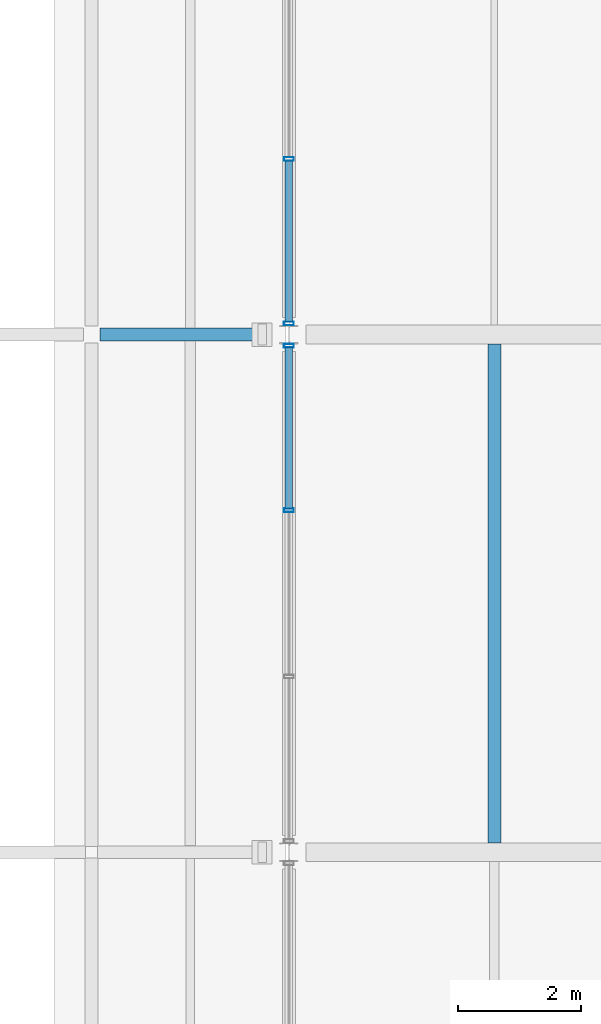
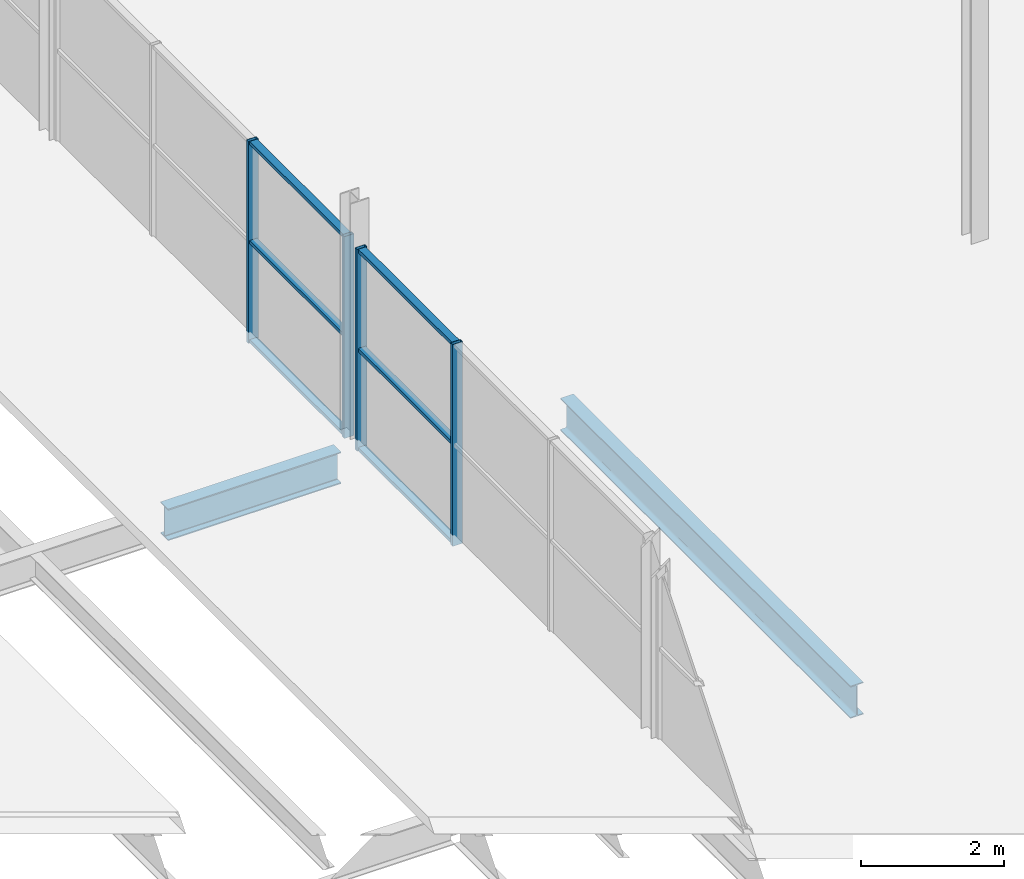
# One storey, part 111 of 161: 10 members, 2 beams, 2 elements without a shape of their own.
"""IFC4 building model written with IfcOpenShell, lengths in metres."""

from ifc_helpers import new_model, si_unit, direction, frame, origin, origin_2d, place, context, subcontext, project, spatial, hollow_rectangle, i_section, extrude, material, material_profile, profile_set, type_object, element, aggregate, save


model = new_model("IFC4")

# Units and contexts
model_context = context("Model", 3, precision=1e-05, world=origin(), true_north=direction((0.0, 1.0)))
body_context = subcontext(model_context, "Body", "Model", "MODEL_VIEW")
ifc_project = project(units=[si_unit("LENGTHUNIT", "METRE"), si_unit("AREAUNIT", "SQUARE_METRE"), si_unit("VOLUMEUNIT", "CUBIC_METRE"), si_unit("PLANEANGLEUNIT", "RADIAN"), si_unit("MASSUNIT", "GRAM", prefix="KILO"), si_unit("THERMODYNAMICTEMPERATUREUNIT", "KELVIN")], contexts=[model_context])

# Site, building, storey
site_placement = place(None, origin())
site = spatial("IfcSite", under=ifc_project, at=site_placement, CompositionType="ELEMENT")
building_placement = place(site_placement, origin())
building = spatial("IfcBuilding", under=site, at=building_placement, Name="Nduvali Passage Aquatics Centre", CompositionType="ELEMENT")
storey_placement = place(building_placement, frame((0.0, 0.0, 4.800048828125)))
storey = spatial("IfcBuildingStorey", under=building, at=storey_placement, Name="L01", CompositionType="ELEMENT", Elevation=4.800048828125)

# Curtain wall, members
ifc_material_1 = material(Name="Aluminium EN AW-6063 T6", Category="aluminium")
curtain_wall_type = type_object("IfcCurtainWallType", Name="ENV-CW-FOYR", PredefinedType="NOTDEFINED", material=ifc_material_1)
curtain_wall_1_placement = place(storey_placement, origin())
curtain_wall_1 = element("IfcCurtainWall", 1, at=curtain_wall_1_placement, inside=storey, type_object=curtain_wall_type, Name="L01 Passage Foyer Upper CW 076", PredefinedType="NOTDEFINED")
ifc_material_profile_1 = material_profile(ifc_material_1, hollow_rectangle(XDim=0.06005859375, YDim=0.159912109375, WallThickness=0.00390625, at=origin_2d()), Name="ALU MULLION 60x160x4")
ifc_profile_set_1 = profile_set([ifc_material_profile_1], Name="Aluminium EN AW-6063 T6")
member_type_1 = type_object("IfcMemberType", Name="ENV-MEM-MUL60", PredefinedType="MULLION", material=ifc_profile_set_1)
member_1_placement = place(storey_placement, frame((138.0, 72.75, 0.0), z_axis=(0.0, 0.0, 1.0), x_axis=(0.0, 1.0, 0.0)))
member_1 = element("IfcMember", 2, at=member_1_placement, type_object=member_type_1, Name="Passage Foyer Upper CW Mullion 3", PredefinedType="MULLION", context=body_context, shape_type="SweptSolid", body=[
    extrude(hollow_rectangle(XDim=0.06005859375, YDim=0.159912109375, WallThickness=0.00390625, at=origin_2d()), origin(), (0.0, 0.0, 1.0), 3.436279296875),
])
member_2_placement = place(storey_placement, frame((138.0, 75.419921875, 0.0), z_axis=(0.0, 0.0, 1.0), x_axis=(0.0, 1.0, 0.0)))
member_2 = element("IfcMember", 3, at=member_2_placement, type_object=member_type_1, Name="Passage Foyer Upper CW Mullion 4", PredefinedType="MULLION", context=body_context, shape_type="SweptSolid", body=[
    extrude(hollow_rectangle(XDim=0.06005859375, YDim=0.159912109375, WallThickness=0.00390625, at=origin_2d()), origin(), (0.0, 0.0, 1.0), 3.436279296875),
])

curtain_wall_2_placement = place(storey_placement, origin())
curtain_wall_2 = element("IfcCurtainWall", 4, at=curtain_wall_2_placement, inside=storey, type_object=curtain_wall_type, Name="L01 Passage Foyer Upper CW 078", PredefinedType="NOTDEFINED")
member_3_placement = place(storey_placement, frame((138.0, 75.780029296875, 0.0), z_axis=(0.0, 0.0, 1.0), x_axis=(0.0, 1.0, 0.0)))
member_3 = element("IfcMember", 5, at=member_3_placement, type_object=member_type_1, Name="Passage Foyer Upper CW Mullion 1", PredefinedType="MULLION", context=body_context, shape_type="SweptSolid", body=[
    extrude(hollow_rectangle(XDim=0.06005859375, YDim=0.159912109375, WallThickness=0.00390625, at=origin_2d()), origin(), (0.0, 0.0, 1.0), 3.436279296875),
])
member_4_placement = place(storey_placement, frame((138.0, 78.449951171875, 0.0), z_axis=(0.0, 0.0, 1.0), x_axis=(0.0, 1.0, 0.0)))
member_4 = element("IfcMember", 6, at=member_4_placement, type_object=member_type_1, Name="Passage Foyer Upper CW Mullion 2", PredefinedType="MULLION", context=body_context, shape_type="SweptSolid", body=[
    extrude(hollow_rectangle(XDim=0.06005859375, YDim=0.159912109375, WallThickness=0.00390625, at=origin_2d()), origin(), (0.0, 0.0, 1.0), 3.436279296875),
])

# Member
ifc_material_profile_2 = material_profile(ifc_material_1, hollow_rectangle(XDim=0.1201171875, YDim=0.06005859375, WallThickness=0.00390625, at=origin_2d()), Name="ALU TRANSOM 120x60x4")
ifc_profile_set_2 = profile_set([ifc_material_profile_2], Name="Aluminium EN AW-6063 T6")
member_type_2 = type_object("IfcMemberType", Name="ENV-MEM-TRN60", PredefinedType="USERDEFINED", material=ifc_profile_set_2)
member_5_placement = place(storey_placement, frame((138.0, 72.780029296875, 0.030029296875), z_axis=(0.0, 1.0, 0.0), x_axis=(-1.0, 0.0, 0.0)))
member_5 = element("IfcMember", 7, at=member_5_placement, type_object=member_type_2, Name="Passage Foyer Upper CW Transom B3-R0", ObjectType="TRANSOM", PredefinedType="USERDEFINED", context=body_context, shape_type="SweptSolid", body=[
    extrude(hollow_rectangle(XDim=0.1201171875, YDim=0.06005859375, WallThickness=0.00390625, at=origin_2d()), origin(), (0.0, 0.0, 1.0), 2.60986328125),
])

member_6_placement = place(storey_placement, frame((138.0, 72.780029296875, 1.71826171875), z_axis=(0.0, 1.0, 0.0), x_axis=(-1.0, 0.0, 0.0)))
member_6 = element("IfcMember", 8, at=member_6_placement, type_object=member_type_2, Name="Passage Foyer Upper CW Transom B3-R1", ObjectType="TRANSOM", PredefinedType="USERDEFINED", context=body_context, shape_type="SweptSolid", body=[
    extrude(hollow_rectangle(XDim=0.1201171875, YDim=0.06005859375, WallThickness=0.00390625, at=origin_2d()), origin(), (0.0, 0.0, 1.0), 2.60986328125),
])

member_7_placement = place(storey_placement, frame((138.0, 72.780029296875, 3.40625), z_axis=(0.0, 1.0, 0.0), x_axis=(-1.0, 0.0, 0.0)))
member_7 = element("IfcMember", 9, at=member_7_placement, type_object=member_type_2, Name="Passage Foyer Upper CW Transom B3-R2", ObjectType="TRANSOM", PredefinedType="USERDEFINED", context=body_context, shape_type="SweptSolid", body=[
    extrude(hollow_rectangle(XDim=0.1201171875, YDim=0.06005859375, WallThickness=0.00390625, at=origin_2d()), origin(), (0.0, 0.0, 1.0), 2.60986328125),
])

aggregate(curtain_wall_1, [member_1, member_2, member_5, member_6, member_7])

member_8_placement = place(storey_placement, frame((138.0, 75.81005859375, 0.030029296875), z_axis=(0.0, 1.0, 0.0), x_axis=(-1.0, 0.0, 0.0)))
member_8 = element("IfcMember", 10, at=member_8_placement, type_object=member_type_2, Name="Passage Foyer Upper CW Transom B1-R0", ObjectType="TRANSOM", PredefinedType="USERDEFINED", context=body_context, shape_type="SweptSolid", body=[
    extrude(hollow_rectangle(XDim=0.1201171875, YDim=0.06005859375, WallThickness=0.00390625, at=origin_2d()), origin(), (0.0, 0.0, 1.0), 2.60986328125),
])

member_9_placement = place(storey_placement, frame((138.0, 75.81005859375, 1.71826171875), z_axis=(0.0, 1.0, 0.0), x_axis=(-1.0, 0.0, 0.0)))
member_9 = element("IfcMember", 11, at=member_9_placement, type_object=member_type_2, Name="Passage Foyer Upper CW Transom B1-R1", ObjectType="TRANSOM", PredefinedType="USERDEFINED", context=body_context, shape_type="SweptSolid", body=[
    extrude(hollow_rectangle(XDim=0.1201171875, YDim=0.06005859375, WallThickness=0.00390625, at=origin_2d()), origin(), (0.0, 0.0, 1.0), 2.60986328125),
])

member_10_placement = place(storey_placement, frame((138.0, 75.81005859375, 3.40625), z_axis=(0.0, 1.0, 0.0), x_axis=(-1.0, 0.0, 0.0)))
member_10 = element("IfcMember", 12, at=member_10_placement, type_object=member_type_2, Name="Passage Foyer Upper CW Transom B1-R2", ObjectType="TRANSOM", PredefinedType="USERDEFINED", context=body_context, shape_type="SweptSolid", body=[
    extrude(hollow_rectangle(XDim=0.1201171875, YDim=0.06005859375, WallThickness=0.00390625, at=origin_2d()), origin(), (0.0, 0.0, 1.0), 2.60986328125),
])

aggregate(curtain_wall_2, [member_3, member_4, member_8, member_9, member_10])

# Beams
ifc_material_2 = material(Name="Steel S355", Category="steel")
ifc_material_profile_3 = material_profile(ifc_material_2, i_section(OverallWidth=0.210693359375, OverallDepth=0.53955078125, WebThickness=0.01171875, FlangeThickness=0.018798828125, FilletRadius=0.0126953125, at=origin_2d()), Name="UKB 533x210x109")
ifc_profile_set_3 = profile_set([ifc_material_profile_3], Name="Steel S355")
beam_type_1 = type_object("IfcBeamType", Name="STR-BM-UKB533", PredefinedType="BEAM", material=ifc_profile_set_3)
beam_1_placement = place(storey_placement, frame((134.9365234375, 75.60009765625, -0.273681640625), z_axis=(1.0, 0.0, 0.0), x_axis=(0.0, 1.0, 0.0)))
element("IfcBeam", 13, at=beam_1_placement, inside=storey, type_object=beam_type_1, Name="L01 Primary X-Girder B6-0504", PredefinedType="BEAM", context=body_context, shape_type="SweptSolid", body=[
    extrude(i_section(OverallWidth=0.210693359375, OverallDepth=0.53955078125, WebThickness=0.01171875, FlangeThickness=0.018798828125, FilletRadius=0.0126953125, at=origin_2d()), origin(), (0.0, 0.0, 1.0), 2.78857421875),
])
ifc_material_profile_4 = material_profile(ifc_material_2, i_section(OverallWidth=0.2099609375, OverallDepth=0.550048828125, WebThickness=0.010986328125, FlangeThickness=0.01708984375, FilletRadius=0.02392578125, at=origin_2d()), Name="IPE 550")
ifc_profile_set_4 = profile_set([ifc_material_profile_4], Name="Steel S355")
beam_type_2 = type_object("IfcBeamType", Name="STR-JST-IPE550", PredefinedType="JOIST", material=ifc_profile_set_4)
beam_2_placement = place(storey_placement, frame((141.333251953125, 67.352294921875, -0.55908203125), z_axis=(0.0, 1.0, 0.0), x_axis=(-1.0, 0.0, 0.0)))
element("IfcBeam", 14, at=beam_2_placement, inside=storey, type_object=beam_type_2, Name="L01 Secondary Joist J5C-0782", PredefinedType="JOIST", context=body_context, shape_type="SweptSolid", body=[
    extrude(i_section(OverallWidth=0.2099609375, OverallDepth=0.550048828125, WebThickness=0.010986328125, FlangeThickness=0.01708984375, FilletRadius=0.02392578125, at=origin_2d()), origin(), (0.0, 0.0, 1.0), 8.09521484375),
])

save(model, "model.ifc")
